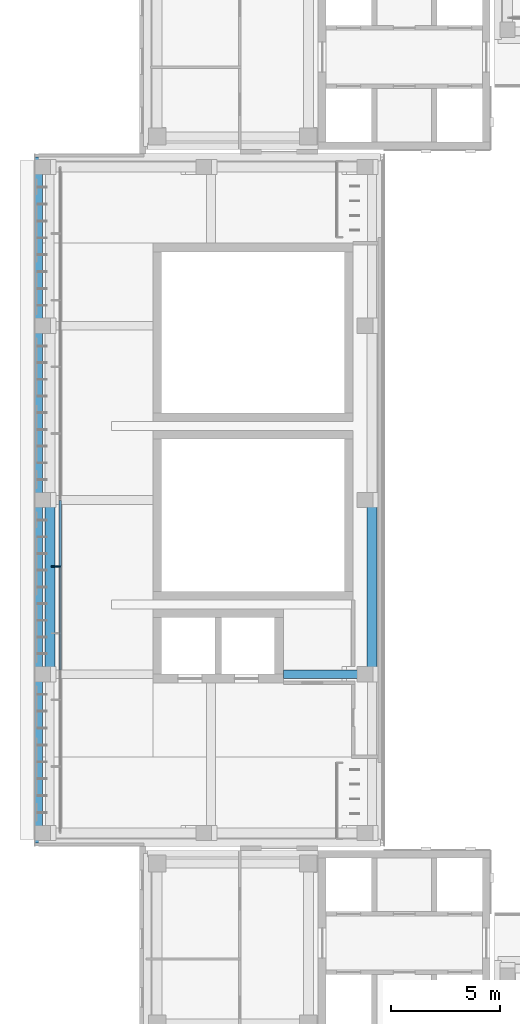
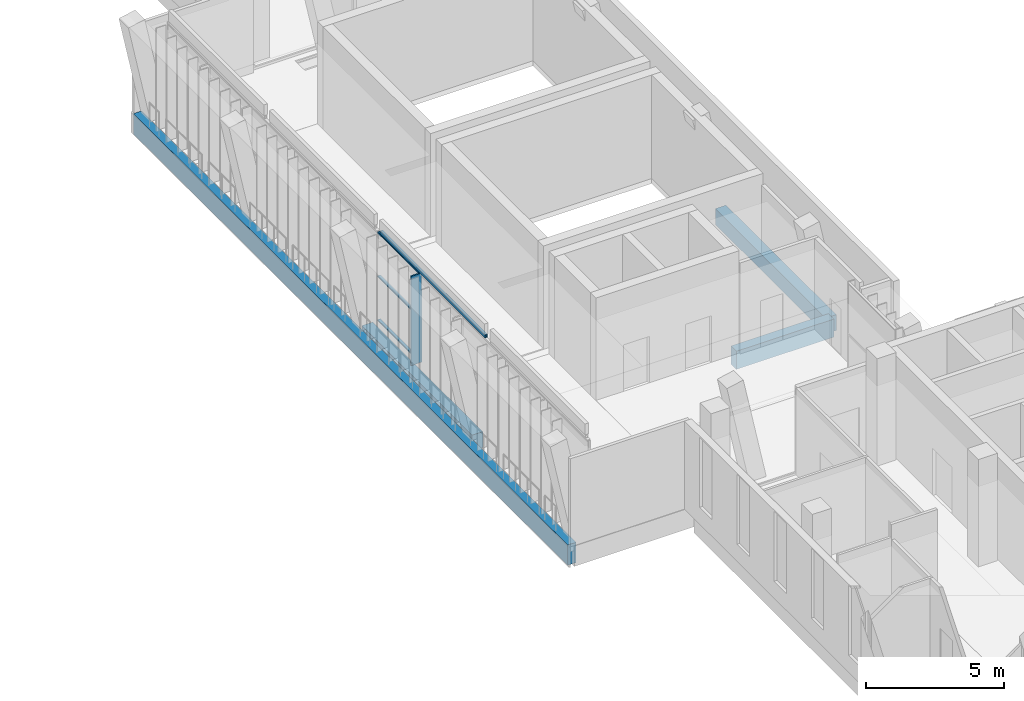
# One storey, part 14 of 73: 5 beams, 4 members, 1 element without a shape of its own.
"""IFC4 building model written with IfcOpenShell, lengths in metres."""

from ifc_helpers import new_model, si_unit, direction, frame, origin, origin_2d, place, context, subcontext, project, spatial, rectangle, hollow_rectangle, extrude, material, material_profile, profile_set, type_object, element, aggregate, save


model = new_model("IFC4")

# Units and contexts
model_context = context("Model", 3, precision=1e-05, world=origin(), true_north=direction((0.0, 1.0)))
body_context = subcontext(model_context, "Body", "Model", "MODEL_VIEW")
ifc_project = project(units=[si_unit("LENGTHUNIT", "METRE"), si_unit("AREAUNIT", "SQUARE_METRE"), si_unit("VOLUMEUNIT", "CUBIC_METRE"), si_unit("PLANEANGLEUNIT", "RADIAN"), si_unit("MASSUNIT", "GRAM", prefix="KILO")], contexts=[model_context])

# Site, building, storey
site_placement = place(None, origin())
site = spatial("IfcSite", under=ifc_project, at=site_placement, CompositionType="ELEMENT")
building_placement = place(site_placement, origin())
building = spatial("IfcBuilding", under=site, at=building_placement, Name="Lantern Court Media Centre", CompositionType="ELEMENT")
storey_placement = place(building_placement, frame((0.0, 0.0, 24.0)))
storey = spatial("IfcBuildingStorey", under=building, at=storey_placement, Name="L05", CompositionType="ELEMENT", Elevation=24.0)

# Curtain wall, members
ifc_material_1 = material(Name="Curtain wall bay 3000")
curtain_wall_type = type_object("IfcCurtainWallType", Name="Curtain wall bay 3000", PredefinedType="NOTDEFINED", material=ifc_material_1)
curtain_wall_placement = place(storey_placement, origin())
curtain_wall = element("IfcCurtainWall", 1, at=curtain_wall_placement, inside=storey, type_object=curtain_wall_type, Name="Curtain wall W outer L05", PredefinedType="NOTDEFINED")
ifc_material_2 = material(Name="Anodised aluminium", Category="aluminium")
ifc_material_profile_1 = material_profile(ifc_material_2, rectangle(XDim=0.449951171875, YDim=0.06005859375, at=origin_2d()), Name="AL 60x450")
ifc_profile_set_1 = profile_set([ifc_material_profile_1], Name="Anodised aluminium")
member_type_1 = type_object("IfcMemberType", Name="Curtain wall mullion 60x450", PredefinedType="MULLION", material=ifc_profile_set_1)
member_1_placement = place(storey_placement, frame((3.955078125, 76.93994140625, 0.0), z_axis=(0.0, 0.0, 1.0), x_axis=(-1.0, 0.0, 0.0)))
member_1 = element("IfcMember", 2, at=member_1_placement, type_object=member_type_1, Name="CW1 mullion 5", PredefinedType="MULLION", context=body_context, shape_type="SweptSolid", body=[
    extrude(rectangle(XDim=0.449951171875, YDim=0.06005859375, at=origin_2d()), origin(), (0.0, 0.0, 1.0), 3.949951171875),
])
ifc_material_profile_2 = material_profile(ifc_material_2, rectangle(XDim=0.1201171875, YDim=0.06005859375, at=origin_2d()), Name="AL 60x120")
ifc_profile_set_2 = profile_set([ifc_material_profile_2], Name="Anodised aluminium")
member_type_2 = type_object("IfcMemberType", Name="Curtain wall transom 60x120", PredefinedType="USERDEFINED", material=ifc_profile_set_2)
member_2_placement = place(storey_placement, frame((4.14990234375, 76.969970703125, 0.030029296875), z_axis=(0.0, 1.0, 0.0), x_axis=(-1.0, 0.0, 0.0)))
member_2 = element("IfcMember", 3, at=member_2_placement, type_object=member_type_2, Name="CW1 transom 5.1", ObjectType="TRANSOM", PredefinedType="USERDEFINED", context=body_context, shape_type="SweptSolid", body=[
    extrude(rectangle(XDim=0.1201171875, YDim=0.06005859375, at=origin_2d()), origin(), (0.0, 0.0, 1.0), 3.0),
])
member_3_placement = place(storey_placement, frame((4.14990234375, 76.969970703125, 1.97509765625), z_axis=(0.0, 1.0, 0.0), x_axis=(-1.0, 0.0, 0.0)))
member_3 = element("IfcMember", 4, at=member_3_placement, type_object=member_type_2, Name="CW1 transom 5.2", ObjectType="TRANSOM", PredefinedType="USERDEFINED", context=body_context, shape_type="SweptSolid", body=[
    extrude(rectangle(XDim=0.1201171875, YDim=0.06005859375, at=origin_2d()), origin(), (0.0, 0.0, 1.0), 3.0),
])
member_4_placement = place(storey_placement, frame((4.14990234375, 76.969970703125, 3.919921875), z_axis=(0.0, 1.0, 0.0), x_axis=(-1.0, 0.0, 0.0)))
member_4 = element("IfcMember", 5, at=member_4_placement, type_object=member_type_2, Name="CW1 transom 5.3", ObjectType="TRANSOM", PredefinedType="USERDEFINED", context=body_context, shape_type="SweptSolid", body=[
    extrude(rectangle(XDim=0.1201171875, YDim=0.06005859375, at=origin_2d()), origin(), (0.0, 0.0, 1.0), 3.0),
])
aggregate(curtain_wall, [member_1, member_2, member_3, member_4])

# Beams
ifc_material_3 = material(Name="Steel S355J2 (EN 10025-2)", Category="steel")
ifc_material_profile_3 = material_profile(ifc_material_3, hollow_rectangle(XDim=0.10009765625, YDim=0.14990234375, WallThickness=0.00634765625, InnerFilletRadius=0.00634765625, OuterFilletRadius=0.009521484375, at=origin_2d()), Name="Facade head lintel RHS 150x100x6.3")
ifc_profile_set_3 = profile_set([ifc_material_profile_3], Name="Steel S355J2 (EN 10025-2)")
beam_type_1 = type_object("IfcBeamType", Name="Facade head lintel RHS 150x100x6.3", PredefinedType="BEAM", material=ifc_profile_set_3)
beam_1_placement = place(storey_placement, frame((4.14990234375, 72.199951171875, 4.02490234375), z_axis=(0.0, 1.0, 0.0), x_axis=(-1.0, 0.0, 0.0)))
element("IfcBeam", 6, at=beam_1_placement, inside=storey, type_object=beam_type_1, Name="Facade head lintel W L05", PredefinedType="BEAM", context=body_context, shape_type="SweptSolid", body=[
    extrude(hollow_rectangle(XDim=0.10009765625, YDim=0.14990234375, WallThickness=0.00634765625, InnerFilletRadius=0.00634765625, OuterFilletRadius=0.009521484375, at=origin_2d()), origin(), (0.0, 0.0, 1.0), 7.60009765625),
])
ifc_material_4 = material(Name="Concrete C35", Category="concrete")
ifc_material_profile_4 = material_profile(ifc_material_4, rectangle(XDim=0.35009765625, YDim=0.89990234375, at=origin_2d()), Name="RC 350x900")
ifc_profile_set_4 = profile_set([ifc_material_profile_4], Name="Concrete C35")
beam_type_2 = type_object("IfcBeamType", Name="RC BEAM 350x900", PredefinedType="BEAM", material=ifc_profile_set_4)
beam_2_placement = place(storey_placement, frame((3.14990234375, 64.25, -0.449951171875), z_axis=(0.0, 1.0, 0.0), x_axis=(-1.0, 0.0, 0.0)))
element("IfcBeam", 7, at=beam_2_placement, inside=storey, type_object=beam_type_2, Name="EB-W-L05-A", PredefinedType="BEAM", context=body_context, shape_type="SweptSolid", body=[
    extrude(rectangle(XDim=0.35009765625, YDim=0.89990234375, at=origin_2d()), origin(), (0.0, 0.0, 1.0), 31.5),
])
ifc_material_profile_5 = material_profile(ifc_material_4, rectangle(XDim=0.39990234375, YDim=0.800048828125, at=origin_2d()), Name="RC 400x800")
ifc_profile_set_5 = profile_set([ifc_material_profile_5], Name="Concrete C35")
beam_type_3 = type_object("IfcBeamType", Name="RC BEAM 400x800", PredefinedType="BEAM", material=ifc_profile_set_5)
beam_3_placement = place(storey_placement, frame((14.39990234375, 72.0, -0.39990234375), z_axis=(1.0, 0.0, 0.0), x_axis=(0.0, 1.0, 0.0)))
element("IfcBeam", 8, at=beam_3_placement, inside=storey, type_object=beam_type_3, Name="TB-W-L05-1-11", PredefinedType="BEAM", context=body_context, shape_type="SweptSolid", body=[
    extrude(rectangle(XDim=0.39990234375, YDim=0.800048828125, at=origin_2d()), origin(), (0.0, 0.0, 1.0), 4.08349609375),
])
ifc_material_profile_6 = material_profile(ifc_material_4, rectangle(XDim=0.449951171875, YDim=0.699951171875, at=origin_2d()), Name="RC 450x700")
ifc_profile_set_6 = profile_set([ifc_material_profile_6], Name="Concrete C35")
beam_type_4 = type_object("IfcBeamType", Name="RC BEAM 450x700", PredefinedType="BEAM", material=ifc_profile_set_6)
for number, where, z_axis, x_axis, name in (
    (9, (3.6728515625, 72.0, -0.35009765625), (0.0, 1.0, 0.0), (-1.0, 0.0, 0.0), "LB-W-L05-0-1"),
    (10, (18.472900390625, 72.0, -0.35009765625), (0.0, 1.0, 0.0), (-1.0, 0.0, 0.0), "LB-W-L05-2-1"),
):
    element("IfcBeam", number, at=place(storey_placement, frame(where, z_axis=z_axis, x_axis=x_axis)), inside=storey, type_object=beam_type_4, Name=name, PredefinedType="BEAM", context=body_context, shape_type="SweptSolid", body=[
        extrude(rectangle(XDim=0.449951171875, YDim=0.699951171875, at=origin_2d()), origin(), (0.0, 0.0, 1.0), 8.0),
    ])

save(model, "model.ifc")
